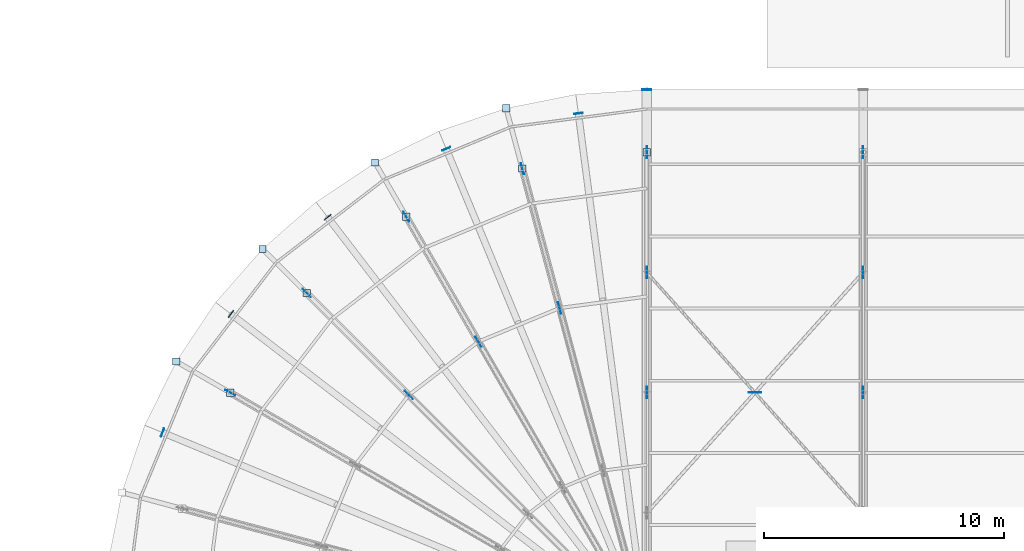
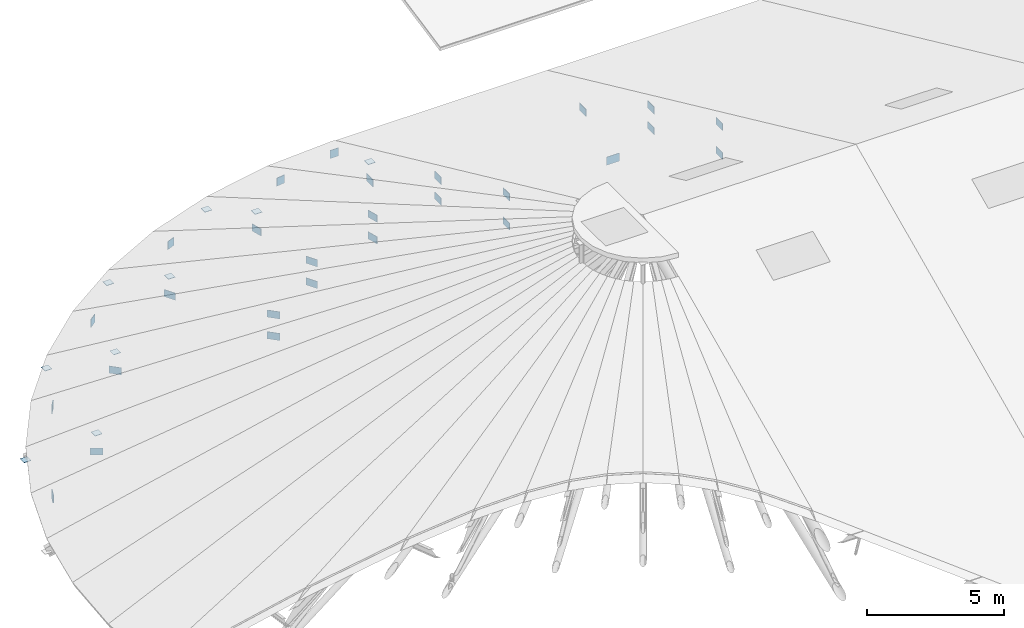
# One storey, part 95 of 107: 36 plates.
"""IFC4 building model written with IfcOpenShell, lengths in metres."""

import ifcopenshell
import ifcopenshell.guid

model = None  # the IFC model being written
_history = None  # IfcOwnerHistory: only IFC2X3 demands one
_inside = {}  # id of a spatial element -> (the spatial element, [elements in it])
_under = {}  # id of a project, library or spatial element -> (it, [spatial elements below it])
_declared = {}  # id of a project -> (the project, [libraries it declares])
_typed = {}  # id of a type object -> (the type object, [elements of that type])
_made_of = {}  # id of a material, layer set ... -> (it, [elements and type objects made of it])


def new_model(schema):
    """Start an empty IFC model of exactly this schema.

    Asked for "IFC4X3", IfcOpenShell would pick the latest addendum, in which some entities
    have other attributes; the version numbers below select the first issue.
    IFC2X3 requires an IfcOwnerHistory on every rooted entity: one is made here for all.
    """
    global model, _history
    if schema == "IFC4X3":
        model = ifcopenshell.file(schema_version=(4, 3, 0, 0))
    else:
        model = ifcopenshell.file(schema=schema)
    _inside.clear()
    _under.clear()
    _declared.clear()
    _typed.clear()
    _made_of.clear()
    _history = None
    if model.schema == "IFC2X3":
        org = make("IfcOrganization", Name="unknown")
        user = make(
            "IfcPersonAndOrganization",
            ThePerson=make("IfcPerson", FamilyName="unknown"),
            TheOrganization=org,
        )
        app = make(
            "IfcApplication",
            ApplicationDeveloper=org,
            Version="unknown",
            ApplicationFullName="unknown",
            ApplicationIdentifier="unknown",
        )
        _history = make(
            "IfcOwnerHistory",
            OwningUser=user,
            OwningApplication=app,
            ChangeAction="ADDED",
            CreationDate=0,
        )
    return model


def make(cls, **values):
    """One entity of the class cls with the attributes given. An attribute that is None is left unset."""
    return model.create_entity(
        cls, **{name: value for name, value in values.items() if value is not None}
    )


def rooted(cls, **values):
    """An entity with a GlobalId (a new one), such as an element, a storey or a relation."""
    return make(cls, GlobalId=ifcopenshell.guid.new(), OwnerHistory=_history, **values)


def si_unit(unit_type, name, prefix=None):
    """IfcSIUnit, for example si_unit("LENGTHUNIT", "METRE", prefix="MILLI")."""
    return make("IfcSIUnit", UnitType=unit_type, Prefix=prefix, Name=name)


def derived_unit(unit_type, elements):
    """IfcDerivedUnit: a product of units, each with its exponent."""
    return make(
        "IfcDerivedUnit",
        Elements=[
            make("IfcDerivedUnitElement", Unit=unit, Exponent=power)
            for unit, power in elements
        ],
        UnitType=unit_type,
    )


def assignment(units):
    """IfcUnitAssignment: the units of a project."""
    return None if units is None else make("IfcUnitAssignment", Units=units)


def point(xyz):
    """IfcCartesianPoint."""
    return None if xyz is None else make("IfcCartesianPoint", Coordinates=xyz)


def direction(xyz):
    """IfcDirection."""
    return None if xyz is None else make("IfcDirection", DirectionRatios=xyz)


def frame(location, z_axis=None, x_axis=None):
    """IfcAxis2Placement3D, a coordinate frame: its origin and axes. An axis left out is left unset."""
    return make(
        "IfcAxis2Placement3D",
        Location=point(location),
        Axis=direction(z_axis),
        RefDirection=direction(x_axis),
    )


def frame_2d(location, x_axis=None):
    """IfcAxis2Placement2D, a coordinate frame in the plane: its origin and x axis."""
    return make(
        "IfcAxis2Placement2D", Location=point(location), RefDirection=direction(x_axis)
    )


def origin():
    """The frame at (0, 0, 0) with its axes left unset."""
    return frame((0.0, 0.0, 0.0))


def origin_2d():
    """The frame at (0, 0) in the plane with its x axis left unset."""
    return frame_2d((0.0, 0.0))


def place(relative_to, where):
    """IfcLocalPlacement: puts the frame where relative to a parent placement (None: the world)."""
    return make(
        "IfcLocalPlacement", PlacementRelTo=relative_to, RelativePlacement=where
    )


def context(
    kind, dimensions, precision=None, world=None, true_north=None, identifier=None
):
    """IfcGeometricRepresentationContext, for example the 3D "Model" context."""
    return make(
        "IfcGeometricRepresentationContext",
        ContextIdentifier=identifier,
        ContextType=kind,
        CoordinateSpaceDimension=dimensions,
        Precision=precision,
        WorldCoordinateSystem=world,
        TrueNorth=true_north,
    )


def subcontext(parent, identifier, kind, view, scale=None):
    """IfcGeometricRepresentationSubContext, for example "Body" below "Model"."""
    return make(
        "IfcGeometricRepresentationSubContext",
        ContextIdentifier=identifier,
        ContextType=kind,
        ParentContext=parent,
        TargetScale=scale,
        TargetView=view,
    )


def project(units=None, contexts=None):
    """IfcProject with its units and contexts."""
    return rooted(
        "IfcProject",
        Name="project",
        RepresentationContexts=contexts,
        UnitsInContext=assignment(units),
    )


def spatial(cls, under=None, at=None, **own):
    """A site, building, storey or space (cls), placed at a placement, below another one or the project."""
    s = rooted(cls, ObjectPlacement=at, **own)
    if under is not None:
        _under.setdefault(under.id(), (under, []))[1].append(s)
    return s


def profile(cls, at=None, kind="AREA", **sizes):
    """A parametric profile (cls). Its sizes go by their IFC names, for example OverallWidth=200.0."""
    return make(cls, ProfileType=kind, Position=at, **sizes)


def rectangle(**sizes):
    """IfcRectangleProfileDef."""
    return profile("IfcRectangleProfileDef", **sizes)


def extrude(swept, where, along, depth):
    """IfcExtrudedAreaSolid: the profile swept, set in the frame where, extruded along a direction by depth."""
    return make(
        "IfcExtrudedAreaSolid",
        SweptArea=swept,
        Position=where,
        ExtrudedDirection=direction(along),
        Depth=depth,
    )


def shape(context_of_items, identifier, shape_type, items):
    """IfcShapeRepresentation: the items that make up one representation, for example the "Body"."""
    return make(
        "IfcShapeRepresentation",
        ContextOfItems=context_of_items,
        RepresentationIdentifier=identifier,
        RepresentationType=shape_type,
        Items=items,
    )


def material(Name=None, Category=None):
    """IfcMaterial."""
    return make("IfcMaterial", Name=Name, Category=Category)


def layer(
    of_material, thickness, ventilated=None, Name=None, Category=None, Priority=None
):
    """IfcMaterialLayer: one layer of a wall or slab, of a material (None: an air gap)."""
    return make(
        "IfcMaterialLayer",
        Material=of_material,
        LayerThickness=thickness,
        IsVentilated=ventilated,
        Name=Name,
        Category=Category,
        Priority=Priority,
    )


def layer_set(layers, Name=None):
    """IfcMaterialLayerSet."""
    return make("IfcMaterialLayerSet", MaterialLayers=layers, LayerSetName=Name)


def made_of(thing, what):
    """Note that an element or type object is made of a material, layer set ...; save() writes the relation."""
    if what is not None:
        _made_of.setdefault(what.id(), (what, []))[1].append(thing)
    return thing


def type_object(cls, material=None, **own):
    """A type object (cls), such as IfcWallType, which elements share."""
    return made_of(rooted(cls, **own), material)


def element(
    cls,
    number,
    at=None,
    inside=None,
    cuts=None,
    type_object=None,
    material=None,
    context=None,
    identifier="Body",
    shape_type=None,
    held_by="IfcProductDefinitionShape",
    body=None,
    shapes=None,
    **own,
):
    """One element of the class cls, such as IfcWall. Its Tag is "e" and its number.

    at: its placement. inside: the storey or other place that contains it. cuts: it is an
    opening in that element (IfcRelVoidsElement). A single representation is given by context,
    identifier, shape_type and body (its items); several are given by shapes. held_by: the class
    of the entity that holds the representations. save() writes the other relations.
    """
    e = rooted(cls, Tag="e%d" % number, ObjectPlacement=at, **own)
    if body is not None:
        shapes = [shape(context, identifier, shape_type, body)]
    if shapes is not None:
        e.Representation = make(held_by, Representations=shapes)
    if inside is not None:
        _inside.setdefault(inside.id(), (inside, []))[1].append(e)
    if cuts is not None:
        rooted(
            "IfcRelVoidsElement", RelatingBuildingElement=cuts, RelatedOpeningElement=e
        )
    if type_object is not None:
        _typed.setdefault(type_object.id(), (type_object, []))[1].append(e)
    return made_of(e, material)


def aggregate(whole, parts):
    """IfcRelAggregates: a whole, such as a stair, and the parts it consists of."""
    return rooted("IfcRelAggregates", RelatingObject=whole, RelatedObjects=parts)


def save(model, path):
    """Write the relations noted so far, then the file.

    IfcRelAggregates (storeys below a building ...), IfcRelContainedInSpatialStructure (elements
    in a storey), IfcRelDefinesByType, IfcRelAssociatesMaterial and IfcRelDeclares: one each for
    every whole, place, type object, material and project.
    """
    for whole, parts in _under.values():
        aggregate(whole, parts)
    for where, things in _inside.values():
        rooted(
            "IfcRelContainedInSpatialStructure",
            RelatedElements=things,
            RelatingStructure=where,
        )
    for kind, things in _typed.values():
        rooted("IfcRelDefinesByType", RelatedObjects=things, RelatingType=kind)
    for what, things in _made_of.values():
        rooted("IfcRelAssociatesMaterial", RelatedObjects=things, RelatingMaterial=what)
    for by, libraries in _declared.values():
        rooted("IfcRelDeclares", RelatingContext=by, RelatedDefinitions=libraries)
    model.write(path)


model = new_model("IFC4")

# Units and contexts
model_context = context("Model", 3, precision=1e-05, world=origin(), true_north=direction((0.0, 1.0)))
body_context = subcontext(model_context, "Body", "Model", "MODEL_VIEW")
ifc_project = project(units=[si_unit("LENGTHUNIT", "METRE"), si_unit("AREAUNIT", "SQUARE_METRE"), si_unit("VOLUMEUNIT", "CUBIC_METRE"), si_unit("PLANEANGLEUNIT", "RADIAN"), si_unit("MASSUNIT", "GRAM", prefix="KILO"), si_unit("THERMODYNAMICTEMPERATUREUNIT", "KELVIN"), si_unit("TIMEUNIT", "SECOND"), derived_unit("THERMALTRANSMITTANCEUNIT", [(si_unit("MASSUNIT", "GRAM", prefix="KILO"), 1), (si_unit("THERMODYNAMICTEMPERATUREUNIT", "KELVIN"), -1), (si_unit("TIMEUNIT", "SECOND"), -3)])], contexts=[model_context])

# Site, building, storey
site_placement = place(None, origin())
site = spatial("IfcSite", under=ifc_project, at=site_placement, CompositionType="ELEMENT")
building_placement = place(site_placement, origin())
building = spatial("IfcBuilding", under=site, at=building_placement, Name="Cambertide Market Hall", CompositionType="ELEMENT")
storey_placement = place(building_placement, frame((0.0, 0.0, 18.300048828125)))
storey = spatial("IfcBuildingStorey", under=building, at=storey_placement, Name="RF", CompositionType="ELEMENT", Elevation=18.300048828125)

# Plates
ifc_material_1 = material(Name="Steel S355", Category="steel")
ifc_layer_1 = layer(ifc_material_1, 0.013916015625, Name="Steel End Cap Plate EC-02")
ifc_layer_set_1 = layer_set([ifc_layer_1], Name="Steel S355")
plate_type_1 = type_object("IfcPlateType", Name="Steel End Cap Plate EC-02", PredefinedType="USERDEFINED", material=ifc_layer_set_1)
for number, where, z_axis, x_axis, name in (
    (1, (36.150634765625, 93.829833984375, -10.7529296875), (0.0, 0.0, 1.0), (1.0, 0.0, 0.0), "EC-CONE-W-02"),
    (2, (30.699951171875, 91.572265625, -10.7529296875), (0.0, 0.0, 1.0), (1.0, 0.0, 0.0), "EC-CONE-W-04"),
    (3, (26.019287109375, 87.980712890625, -10.7529296875), (0.0, 0.0, 1.0), (1.0, 0.0, 0.0), "EC-CONE-W-06"),
    (4, (22.427734375, 83.300048828125, -10.7529296875), (0.0, 0.0, 1.0), (1.0, 0.0, 0.0), "EC-CONE-W-08"),
    (5, (42.0, 92.0, -9.55712890625), (0.0, 0.0, 1.0), (1.0, 0.0, 0.0), "High-Bay Brace Connection End Cap Plate EC-BRN-011"),
    (6, (36.82373046875, 91.318603515625, -9.55712890625), (0.0, 0.0, 1.0), (1.0, 0.0, 0.0), "High-Bay Brace Connection End Cap Plate EC-BRN-094"),
    (7, (32.0, 89.320556640625, -9.55712890625), (0.0, 0.0, 1.0), (1.0, 0.0, 0.0), "High-Bay Brace Connection End Cap Plate EC-BRN-100"),
    (8, (27.85791015625, 86.14208984375, -9.55712890625), (0.0, 0.0, 1.0), (1.0, 0.0, 0.0), "High-Bay Brace Connection End Cap Plate EC-BRN-106"),
    (9, (24.679443359375, 82.0, -9.55712890625), (0.0, 0.0, 1.0), (1.0, 0.0, 0.0), "High-Bay Brace Connection End Cap Plate EC-BRN-112"),
):
    element("IfcPlate", number, at=place(storey_placement, frame(where, z_axis=z_axis, x_axis=x_axis)), inside=storey, type_object=plate_type_1, Name=name, ObjectType="END CAP PLATE", PredefinedType="USERDEFINED", context=body_context, shape_type="SweptSolid", body=[
        extrude(rectangle(XDim=0.300048828125, YDim=0.300048828125, at=origin_2d()), origin(), (0.0, 0.0, 1.0), 0.013916015625),
    ])
ifc_material_2 = material(Name="Steel S355", Category="steel")
ifc_layer_2 = layer(ifc_material_2, 0.02392578125, Name="Steel End Cap Plate EC-03E")
ifc_layer_set_2 = layer_set([ifc_layer_2], Name="Steel S355")
plate_type_2 = type_object("IfcPlateType", Name="Steel End Cap Plate EC-03E", PredefinedType="USERDEFINED", material=ifc_layer_set_2)
plate_1_placement = place(storey_placement, frame((42.0, 94.60009765625, -10.92626953125), z_axis=(0.0, 0.0, 1.0), x_axis=(1.0, 0.0, 0.0)))
element("IfcPlate", 10, at=plate_1_placement, inside=storey, type_object=plate_type_2, Name="Eave Overhang End Cap Plate 1-N", ObjectType="END CAP PLATE", PredefinedType="USERDEFINED", context=body_context, shape_type="SweptSolid", body=[
    extrude(rectangle(XDim=0.360107421875, YDim=0.02392578125, at=origin_2d()), origin(), (0.0, 0.0, 1.0), 0.360107421875),
])
for number, where, z_axis, x_axis, name in (
    (11, (39.154541015625, 93.613525390625, -10.55810546875), (0.0, 0.0, 1.0), (-0.13052619222, 0.991444861374, 0.0), "Eave Rafter End Cap Plate W-01"),
    (12, (33.657470703125, 92.140625, -10.55810546875), (0.0, 0.0, 1.0), (-0.382683432365, 0.923879532511, 0.0), "Eave Rafter End Cap Plate W-03"),
    (13, (28.72900390625, 89.295166015625, -10.55810546875), (0.0, 0.0, 1.0), (-0.608761429009, 0.793353340291, 0.0), "Eave Rafter End Cap Plate W-05"),
    (14, (24.704833984375, 85.27099609375, -10.55810546875), (0.0, 0.0, 1.0), (-0.793353340291, 0.608761429009, 0.0), "Eave Rafter End Cap Plate W-07"),
    (15, (21.859375, 80.342529296875, -10.55810546875), (0.0, 0.0, 1.0), (-0.923879532511, 0.382683432365, 0.0), "Eave Rafter End Cap Plate W-09"),
):
    element("IfcPlate", number, at=place(storey_placement, frame(where, z_axis=z_axis, x_axis=x_axis)), inside=storey, type_object=plate_type_2, Name=name, ObjectType="END CAP PLATE", PredefinedType="USERDEFINED", context=body_context, shape_type="SweptSolid", body=[
        extrude(rectangle(XDim=0.02392578125, YDim=0.360107421875, at=origin_2d()), origin(), (0.0, 0.0, 1.0), 0.360107421875),
    ])
ifc_material_3 = material(Name="Steel S355", Category="steel")
ifc_layer_3 = layer(ifc_material_3, 0.02001953125, Name="Steel Gusset Plate GP-01")
ifc_layer_set_3 = layer_set([ifc_layer_3], Name="Steel S355")
plate_type_3 = type_object("IfcPlateType", Name="Steel Gusset Plate GP-01", PredefinedType="USERDEFINED", material=ifc_layer_set_3)
plate_2_placement = place(storey_placement, frame((46.5, 82.0, -5.1298828125), z_axis=(0.0, 0.0, 1.0), x_axis=(1.0, 0.0, 0.0)))
element("IfcPlate", 16, at=plate_2_placement, inside=storey, type_object=plate_type_3, Name="Wind X-Brace Crossing Gusset Plate 1-N", ObjectType="GUSSET PLATE", PredefinedType="USERDEFINED", context=body_context, shape_type="SweptSolid", body=[
    extrude(rectangle(XDim=0.5400390625, YDim=0.02001953125, at=origin_2d()), origin(), (0.0, 0.0, 1.0), 0.360107421875),
])
ifc_material_4 = material(Name="Steel S355", Category="steel")
ifc_layer_4 = layer(ifc_material_4, 0.01806640625, Name="Steel Gusset Plate GP-02")
ifc_layer_set_4 = layer_set([ifc_layer_4], Name="Steel S355")
plate_type_4 = type_object("IfcPlateType", Name="Steel Gusset Plate GP-02", PredefinedType="USERDEFINED", material=ifc_layer_set_4)
for number, where, z_axis, x_axis, name in (
    (17, (42.0, 82.0, -5.10986328125), (0.0, 0.0, 1.0), (1.0, 0.0, 0.0), "Arch Truss 1 Node Gusset Plate 6"),
    (18, (42.0, 87.0, -7.41015625), (0.0, 0.0, 1.0), (1.0, 0.0, 0.0), "Arch Truss 1 Node Gusset Plate 7"),
    (19, (51.0, 82.0, -5.10986328125), (0.0, 0.0, 1.0), (1.0, 0.0, 0.0), "Arch Truss 2 Node Gusset Plate 6"),
    (20, (51.0, 87.0, -7.41015625), (0.0, 0.0, 1.0), (1.0, 0.0, 0.0), "Arch Truss 2 Node Gusset Plate 7"),
):
    element("IfcPlate", number, at=place(storey_placement, frame(where, z_axis=z_axis, x_axis=x_axis)), inside=storey, type_object=plate_type_4, Name=name, ObjectType="GUSSET PLATE", PredefinedType="USERDEFINED", context=body_context, shape_type="SweptSolid", body=[
        extrude(rectangle(XDim=0.01806640625, YDim=0.47998046875, at=origin_2d()), origin(), (0.0, 0.0, 1.0), 0.320068359375),
    ])
for number, where, z_axis, x_axis, name in (
    (21, (42.0, 82.0, -6.4111328125), (0.0, 0.0, 1.0), (0.0, 1.0, 0.0), "High-Bay Brace Connection Gusset Plate GP-BRN-006"),
    (22, (42.0, 87.0, -8.3369140625), (0.0, 0.0, 1.0), (0.0, 1.0, 0.0), "High-Bay Brace Connection Gusset Plate GP-BRN-007"),
    (23, (42.0, 92.0, -10.5400390625), (0.0, 0.0, 1.0), (0.0, 1.0, 0.0), "High-Bay Brace Connection Gusset Plate GP-BRN-008"),
    (24, (51.0, 82.0, -6.4111328125), (0.0, 0.0, 1.0), (0.0, 1.0, 0.0), "High-Bay Brace Connection Gusset Plate GP-BRN-017"),
    (25, (51.0, 87.0, -8.3369140625), (0.0, 0.0, 1.0), (0.0, 1.0, 0.0), "High-Bay Brace Connection Gusset Plate GP-BRN-018"),
    (26, (51.0, 92.0, -10.5400390625), (0.0, 0.0, 1.0), (0.0, 1.0, 0.0), "High-Bay Brace Connection Gusset Plate GP-BRN-019"),
    (27, (38.37646484375, 85.52294921875, -7.916015625), (0.0, 0.0, 1.0), (0.258819045103, -0.965925826289, 0.0), "High-Bay Brace Connection Gusset Plate GP-BRN-090"),
    (28, (36.82373046875, 91.318603515625, -10.5400390625), (0.0, 0.0, 1.0), (0.258819045103, -0.965925826289, 0.0), "High-Bay Brace Connection Gusset Plate GP-BRN-092"),
    (29, (38.37646484375, 85.52294921875, -6.9501953125), (0.0, 0.0, 1.0), (0.258819045103, -0.965925826289, 0.0), "High-Bay Brace Connection Gusset Plate GP-BRN-093"),
    (30, (35.0, 84.124267578125, -7.916015625), (0.0, 0.0, 1.0), (0.5, -0.866025403784, 0.0), "High-Bay Brace Connection Gusset Plate GP-BRN-096"),
    (31, (32.0, 89.320556640625, -10.5400390625), (0.0, 0.0, 1.0), (0.5, -0.866025403784, 0.0), "High-Bay Brace Connection Gusset Plate GP-BRN-098"),
    (32, (35.0, 84.124267578125, -6.9501953125), (0.0, 0.0, 1.0), (0.5, -0.866025403784, 0.0), "High-Bay Brace Connection Gusset Plate GP-BRN-099"),
    (33, (32.1005859375, 81.8994140625, -7.916015625), (0.0, 0.0, 1.0), (0.707106781187, -0.707106781187, 0.0), "High-Bay Brace Connection Gusset Plate GP-BRN-102"),
    (34, (27.85791015625, 86.14208984375, -10.5400390625), (0.0, 0.0, 1.0), (0.707106781187, -0.707106781187, 0.0), "High-Bay Brace Connection Gusset Plate GP-BRN-104"),
    (35, (32.1005859375, 81.8994140625, -6.9501953125), (0.0, 0.0, 1.0), (0.707106781187, -0.707106781187, 0.0), "High-Bay Brace Connection Gusset Plate GP-BRN-105"),
    (36, (24.679443359375, 82.0, -10.5400390625), (0.0, 0.0, 1.0), (0.866025403784, -0.5, 0.0), "High-Bay Brace Connection Gusset Plate GP-BRN-110"),
):
    element("IfcPlate", number, at=place(storey_placement, frame(where, z_axis=z_axis, x_axis=x_axis)), inside=storey, type_object=plate_type_4, Name=name, ObjectType="GUSSET PLATE", PredefinedType="USERDEFINED", context=body_context, shape_type="SweptSolid", body=[
        extrude(rectangle(XDim=0.47998046875, YDim=0.01806640625, at=origin_2d()), origin(), (0.0, 0.0, 1.0), 0.320068359375),
    ])

save(model, "model.ifc")
